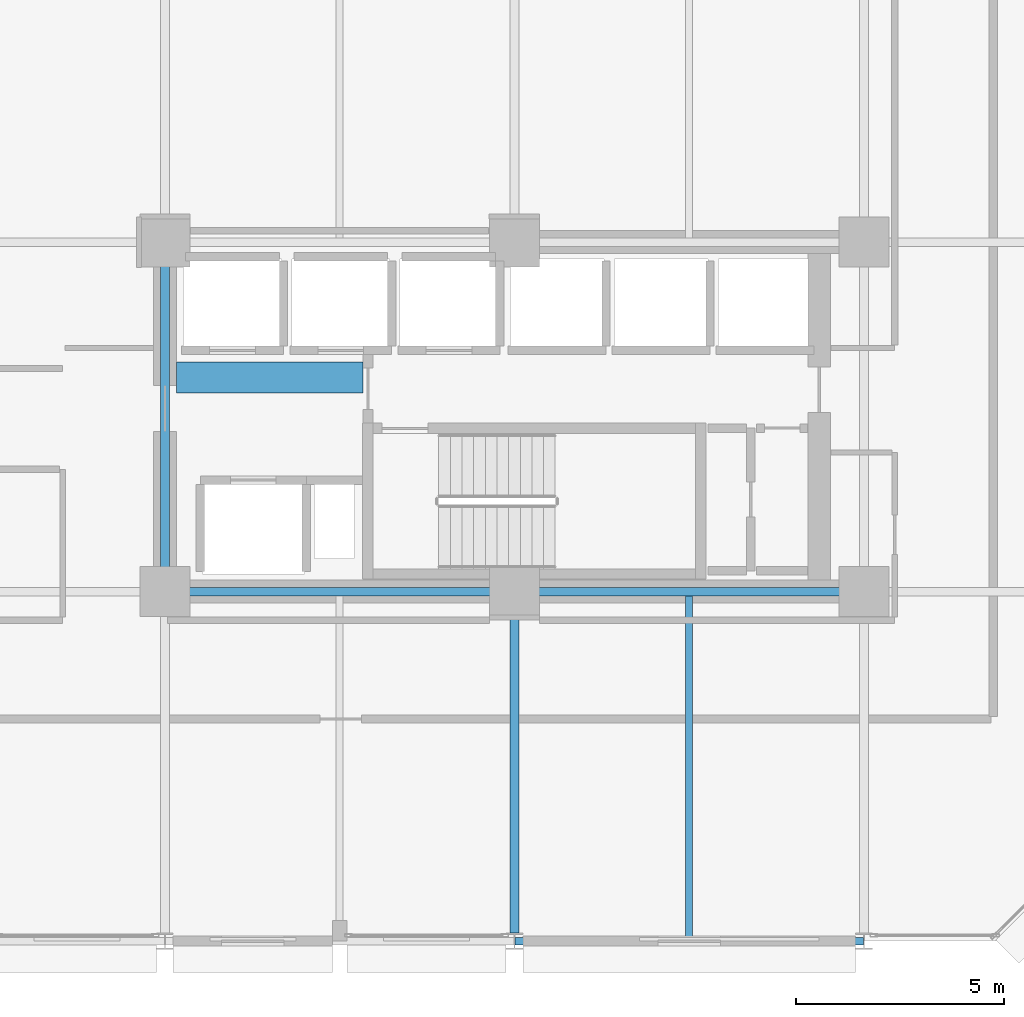
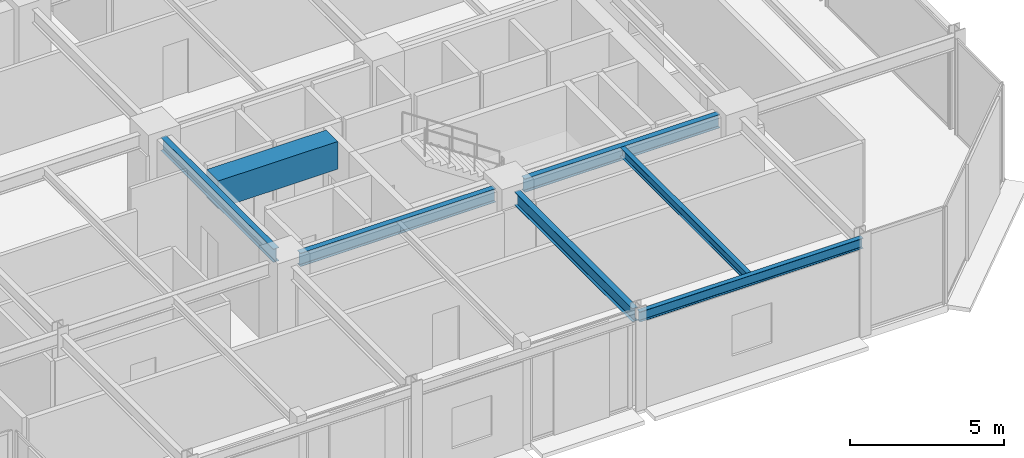
# One storey, part 7 of 30: 7 beams.
"""IFC4 building model written with IfcOpenShell, lengths in metres."""

from ifc_helpers import new_model, si_unit, direction, frame, origin, origin_2d, place, context, subcontext, project, spatial, rectangle, i_section, extrude, material, material_profile, profile_set, type_object, element, save


model = new_model("IFC4")

# Units and contexts
model_context = context("Model", 3, precision=1e-05, world=origin(), true_north=direction((0.0, 1.0)))
body_context = subcontext(model_context, "Body", "Model", "MODEL_VIEW")
ifc_project = project(units=[si_unit("LENGTHUNIT", "METRE"), si_unit("AREAUNIT", "SQUARE_METRE"), si_unit("VOLUMEUNIT", "CUBIC_METRE"), si_unit("PLANEANGLEUNIT", "RADIAN"), si_unit("MASSUNIT", "GRAM", prefix="KILO")], contexts=[model_context])

# Site, building, storey
site_placement = place(None, origin())
site = spatial("IfcSite", under=ifc_project, at=site_placement, CompositionType="ELEMENT")
building_placement = place(site_placement, origin())
building = spatial("IfcBuilding", under=site, at=building_placement, Name="Nerrivon Quay Data Exchange", CompositionType="ELEMENT")
storey_placement = place(building_placement, frame((0.0, 0.0, 129.5)))
storey = spatial("IfcBuildingStorey", under=building, at=storey_placement, Name="L30", CompositionType="ELEMENT", Elevation=129.5)

# Beams
ifc_material_1 = material(Name="Concrete S65 (65 MPa)", Category="concrete")
ifc_material_profile_1 = material_profile(ifc_material_1, rectangle(XDim=0.75, YDim=1.10009765625, at=origin_2d()), Name="RC-CB-750x1100")
ifc_profile_set_1 = profile_set([ifc_material_profile_1], Name="Concrete S65 (65 MPa)")
beam_type_1 = type_object("IfcBeamType", Name="BM-CB1-750x1100", PredefinedType="LINTEL", material=ifc_profile_set_1)
beam_1_placement = place(storey_placement, frame((17.074951171875, 13.550048828125, 3.27490234375), z_axis=(1.0, 0.0, 0.0), x_axis=(0.0, 1.0, 0.0)))
element("IfcBeam", 1, at=beam_1_placement, inside=storey, type_object=beam_type_1, Name="L30 East Core Coupling Beam", PredefinedType="LINTEL", context=body_context, shape_type="SweptSolid", body=[
    extrude(rectangle(XDim=0.75, YDim=1.10009765625, at=origin_2d()), origin(), (0.0, 0.0, 1.0), 4.47998046875),
])
ifc_material_2 = material(Name="Steel Grade 350", Category="steel")
ifc_material_profile_2 = material_profile(ifc_material_2, i_section(OverallWidth=0.208984375, OverallDepth=0.532958984375, WebThickness=0.01025390625, FlangeThickness=0.015625, FilletRadius=0.013916015625, at=origin_2d()), Name="530UB92.4")
ifc_profile_set_2 = profile_set([ifc_material_profile_2], Name="Steel Grade 350")
beam_type_2 = type_object("IfcBeamType", Name="BM-G3-530UB92", PredefinedType="BEAM", material=ifc_profile_set_2)
beam_2_placement = place(storey_placement, frame((17.340087890625, 8.39990234375, 3.55859375), z_axis=(1.0, 0.0, 0.0), x_axis=(0.0, 1.0, 0.0)))
element("IfcBeam", 2, at=beam_2_placement, inside=storey, type_object=beam_type_2, Name="L30 EW Girder Y=8.4 (16.8..25.2)", PredefinedType="BEAM", context=body_context, shape_type="SweptSolid", body=[
    extrude(i_section(OverallWidth=0.208984375, OverallDepth=0.532958984375, WebThickness=0.01025390625, FlangeThickness=0.015625, FilletRadius=0.013916015625, at=origin_2d()), origin(), (0.0, 0.0, 1.0), 7.31982421875),
])
beam_3_placement = place(storey_placement, frame((25.739990234375, 8.39990234375, 3.55859375), z_axis=(1.0, 0.0, 0.0), x_axis=(0.0, 1.0, 0.0)))
element("IfcBeam", 3, at=beam_3_placement, inside=storey, type_object=beam_type_2, Name="L30 EW Girder Y=8.4 (25.2..33.6)", PredefinedType="BEAM", context=body_context, shape_type="SweptSolid", body=[
    extrude(i_section(OverallWidth=0.208984375, OverallDepth=0.532958984375, WebThickness=0.01025390625, FlangeThickness=0.015625, FilletRadius=0.013916015625, at=origin_2d()), origin(), (0.0, 0.0, 1.0), 7.320068359375),
])
ifc_material_profile_3 = material_profile(ifc_material_2, i_section(OverallWidth=0.208984375, OverallDepth=0.528076171875, WebThickness=0.009521484375, FlangeThickness=0.01318359375, FilletRadius=0.013916015625, at=origin_2d()), Name="530UB82.0")
ifc_profile_set_3 = profile_set([ifc_material_profile_3], Name="Steel Grade 350")
beam_type_3 = type_object("IfcBeamType", Name="BM-G4-530UB82", PredefinedType="BEAM", material=ifc_profile_set_3)
beam_4_placement = place(storey_placement, frame((16.800048828125, 8.93994140625, 3.56103515625), z_axis=(0.0, 1.0, 0.0), x_axis=(-1.0, 0.0, 0.0)))
element("IfcBeam", 4, at=beam_4_placement, inside=storey, type_object=beam_type_3, Name="L30 NS Girder X=16.8 (8.4..16.8)", PredefinedType="BEAM", context=body_context, shape_type="SweptSolid", body=[
    extrude(i_section(OverallWidth=0.208984375, OverallDepth=0.528076171875, WebThickness=0.009521484375, FlangeThickness=0.01318359375, FilletRadius=0.013916015625, at=origin_2d()), origin(), (0.0, 0.0, 1.0), 7.320068359375),
])
beam_5_placement = place(storey_placement, frame((25.199951171875, 0.199951171875, 3.56103515625), z_axis=(0.0, 1.0, 0.0), x_axis=(-1.0, 0.0, 0.0)))
element("IfcBeam", 5, at=beam_5_placement, inside=storey, type_object=beam_type_3, Name="L30 NS Girder X=25.2 (0.0..8.4)", PredefinedType="BEAM", context=body_context, shape_type="SweptSolid", body=[
    extrude(i_section(OverallWidth=0.208984375, OverallDepth=0.528076171875, WebThickness=0.009521484375, FlangeThickness=0.01318359375, FilletRadius=0.013916015625, at=origin_2d()), origin(), (0.0, 0.0, 1.0), 7.66015625),
])
ifc_material_profile_4 = material_profile(ifc_material_2, i_section(OverallWidth=0.1708984375, OverallDepth=0.35595703125, WebThickness=0.00732421875, FlangeThickness=0.011474609375, FilletRadius=0.011474609375, at=origin_2d()), Name="360UB50.7")
ifc_profile_set_4 = profile_set([ifc_material_profile_4], Name="Steel Grade 350")
beam_type_4 = type_object("IfcBeamType", Name="BM-J4-360UB51", PredefinedType="JOIST", material=ifc_profile_set_4)
beam_6_placement = place(storey_placement, frame((29.39990234375, 0.089111328125, 3.64697265625), z_axis=(0.0, 1.0, 0.0), x_axis=(-1.0, 0.0, 0.0)))
element("IfcBeam", 6, at=beam_6_placement, inside=storey, type_object=beam_type_4, Name="L30 Secondary Joist X=29.4 (0.0..8.4)", PredefinedType="JOIST", context=body_context, shape_type="SweptSolid", body=[
    extrude(i_section(OverallWidth=0.1708984375, OverallDepth=0.35595703125, WebThickness=0.00732421875, FlangeThickness=0.011474609375, FilletRadius=0.011474609375, at=origin_2d()), origin(), (0.0, 0.0, 1.0), 8.206298828125),
])
ifc_material_profile_5 = material_profile(ifc_material_2, i_section(OverallWidth=0.177978515625, OverallDepth=0.403076171875, WebThickness=0.007568359375, FlangeThickness=0.010986328125, FilletRadius=0.011474609375, at=origin_2d()), Name="410UB53.7")
ifc_profile_set_5 = profile_set([ifc_material_profile_5], Name="Steel Grade 350")
beam_type_5 = type_object("IfcBeamType", Name="BM-SP2-410UB54", PredefinedType="SPANDREL", material=ifc_profile_set_5)
beam_7_placement = place(storey_placement, frame((25.21240234375, 0.0, 3.62353515625), z_axis=(1.0, 0.0, 0.0), x_axis=(0.0, 1.0, 0.0)))
element("IfcBeam", 7, at=beam_7_placement, inside=storey, type_object=beam_type_5, Name="L30 EW Girder Y=0.0 (25.2..33.6)", PredefinedType="SPANDREL", context=body_context, shape_type="SweptSolid", body=[
    extrude(i_section(OverallWidth=0.177978515625, OverallDepth=0.403076171875, WebThickness=0.007568359375, FlangeThickness=0.010986328125, FilletRadius=0.011474609375, at=origin_2d()), origin(), (0.0, 0.0, 1.0), 8.375),
])

save(model, "model.ifc")
